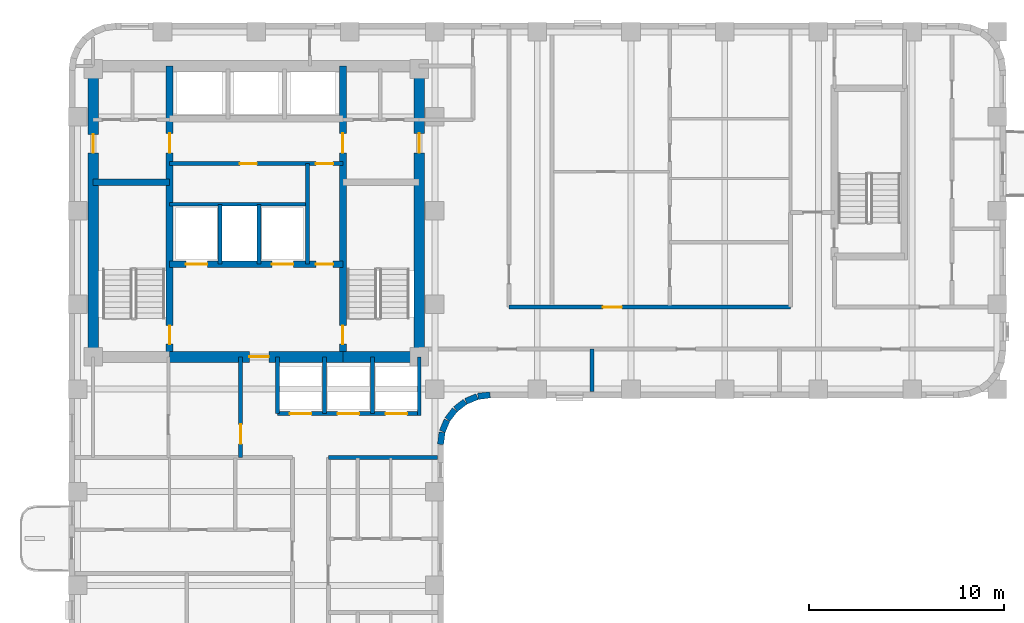
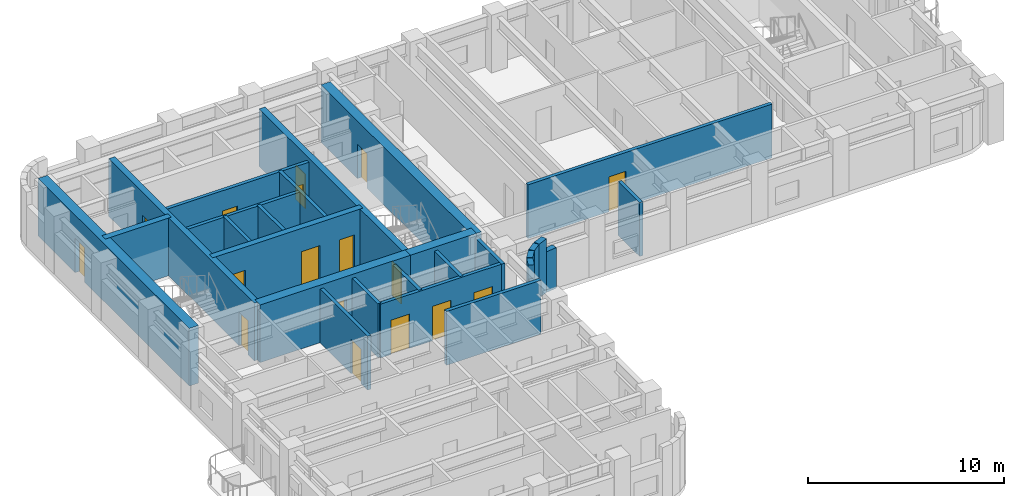
# One storey, part 4 of 10: 28 walls, 17 doors, 17 openings.
"""IFC4 building model written with IfcOpenShell, lengths in metres."""

from ifc_helpers import new_model, si_unit, direction, frame, frame_2d, origin, place, context, subcontext, project, spatial, rectangle, extrude, material, layer, layer_set, type_object, element, fill, save


model = new_model("IFC4")

# Units and contexts
model_context = context("Model", 3, precision=1e-05, world=origin(), true_north=direction((0.0, 1.0)))
body_context = subcontext(model_context, "Body", "Model", "MODEL_VIEW")
ifc_project = project(units=[si_unit("LENGTHUNIT", "METRE"), si_unit("AREAUNIT", "SQUARE_METRE"), si_unit("VOLUMEUNIT", "CUBIC_METRE"), si_unit("PLANEANGLEUNIT", "RADIAN"), si_unit("MASSUNIT", "GRAM", prefix="KILO")], contexts=[model_context])

# Site, building, storey
site_placement = place(None, origin())
site = spatial("IfcSite", under=ifc_project, at=site_placement, CompositionType="ELEMENT")
building_placement = place(site_placement, origin())
building = spatial("IfcBuilding", under=site, at=building_placement, Name="Orvandelia Arch Residences", CompositionType="ELEMENT")
storey_placement = place(building_placement, frame((0.0, 0.0, 136.0)))
storey = spatial("IfcBuildingStorey", under=building, at=storey_placement, Name="L35", CompositionType="ELEMENT", Elevation=136.0)

# Wall, openings, doors
ifc_material_1 = material(Name="Concrete C50/60", Category="concrete")
ifc_layer_1 = layer(ifc_material_1, 0.35009765625, Name="Concrete C50/60", Category="concrete")
ifc_layer_set_1 = layer_set([ifc_layer_1], Name="Concrete C50/60")
wall_type_1 = type_object("IfcWallType", Name="WL-CORE-350", PredefinedType="SHEAR", material=ifc_layer_set_1)
wall_1_placement = place(storey_placement, frame((9.9599609375, 30.89990234375, 0.0), z_axis=(0.0, 0.0, 1.0), x_axis=(0.0, 1.0, 0.0)))
wall_1 = element("IfcWall", 1, at=wall_1_placement, inside=storey, type_object=wall_type_1, Name="Core Shear Wall L35-WEB1", PredefinedType="SHEAR", context=body_context, shape_type="SweptSolid", body=[
    extrude(rectangle(XDim=14.900146484375, YDim=0.35009765625, at=frame_2d((7.4501953125, 0.0))), origin(), (0.0, 0.0, 1.0), 3.60009765625),
])
opening_1_placement = place(wall_1_placement, frame((0.64990234375, 0.0, 0.0)))
opening_1 = element("IfcOpeningElement", 2, at=opening_1_placement, cuts=wall_1, Name="Opening D7", PredefinedType="OPENING", context=body_context, shape_type="SweptSolid", body=[
    extrude(rectangle(XDim=0.949951171875, YDim=2.10009765625, at=frame_2d((0.47509765625, 1.050048828125))), frame((0.0, 0.18505859375, 0.0), z_axis=(0.0, -1.0, 0.0), x_axis=(1.0, 0.0, 0.0)), (0.0, 0.0, 1.0), 0.3701171875),
])
opening_2_placement = place(wall_1_placement, frame((10.449951171875, 0.0, 0.0)))
opening_2 = element("IfcOpeningElement", 3, at=opening_2_placement, cuts=wall_1, Name="Opening D6", PredefinedType="OPENING", context=body_context, shape_type="SweptSolid", body=[
    extrude(rectangle(XDim=1.0, YDim=2.14990234375, at=frame_2d((0.5, 1.074951171875))), frame((0.0, 0.18505859375, 0.0), z_axis=(0.0, -1.0, 0.0), x_axis=(1.0, 0.0, 0.0)), (0.0, 0.0, 1.0), 0.3701171875),
])
ifc_material_2 = material(Name="Smokeproof Painted Steel Fire Door", Category="steel")
door_type_1 = type_object("IfcDoorType", Name="DR-FD60-1000", OperationType="NOTDEFINED", PredefinedType="DOOR", material=ifc_material_2)
door_1_placement = place(opening_2_placement, origin())
door_1 = element("IfcDoor", 4, at=door_1_placement, inside=storey, type_object=door_type_1, Name="High-Rise Lift Hall West Vestibule Door L35", OperationType="SINGLE_SWING_LEFT", OverallHeight=2.14990234375, OverallWidth=1.0, PredefinedType="DOOR", context=body_context, shape_type="SweptSolid", body=[
    extrude(rectangle(XDim=1.0, YDim=2.14990234375, at=frame_2d((0.5, 1.074951171875))), frame((0.0, 0.02490234375, 0.0), z_axis=(0.0, -1.0, 0.0), x_axis=(1.0, 0.0, 0.0)), (0.0, 0.0, 1.0), 0.050048828125),
])
fill(opening_2, door_1)
ifc_material_3 = material(Name="Pressurised Stairwell Fire Door")
door_type_2 = type_object("IfcDoorType", Name="DR-STAIR-950", OperationType="NOTDEFINED", PredefinedType="DOOR", material=ifc_material_3)
door_2_placement = place(opening_1_placement, origin())
door_2 = element("IfcDoor", 5, at=door_2_placement, inside=storey, type_object=door_type_2, Name="Stairwell ST-1 Fire Door L35", OperationType="SINGLE_SWING_LEFT", OverallHeight=2.10009765625, OverallWidth=0.949951171875, PredefinedType="DOOR", context=body_context, shape_type="SweptSolid", body=[
    extrude(rectangle(XDim=0.949951171875, YDim=2.10009765625, at=frame_2d((0.47509765625, 1.050048828125))), frame((0.0, 0.02490234375, 0.0), z_axis=(0.0, -1.0, 0.0), x_axis=(1.0, 0.0, 0.0)), (0.0, 0.0, 1.0), 0.050048828125),
])
fill(opening_1, door_2)

wall_2_placement = place(storey_placement, frame((18.840087890625, 30.89990234375, 0.0), z_axis=(0.0, 0.0, 1.0), x_axis=(0.0, 1.0, 0.0)))
wall_2 = element("IfcWall", 6, at=wall_2_placement, inside=storey, type_object=wall_type_1, Name="Core Shear Wall L35-WEB2", PredefinedType="SHEAR", context=body_context, shape_type="SweptSolid", body=[
    extrude(rectangle(XDim=14.900146484375, YDim=0.35009765625, at=frame_2d((7.4501953125, 0.0))), origin(), (0.0, 0.0, 1.0), 3.60009765625),
])
opening_3_placement = place(wall_2_placement, frame((0.64990234375, 0.0, 0.0)))
opening_3 = element("IfcOpeningElement", 7, at=opening_3_placement, cuts=wall_2, Name="Opening D7", PredefinedType="OPENING", context=body_context, shape_type="SweptSolid", body=[
    extrude(rectangle(XDim=0.949951171875, YDim=2.10009765625, at=frame_2d((0.47509765625, 1.050048828125))), frame((0.0, 0.18505859375, 0.0), z_axis=(0.0, -1.0, 0.0), x_axis=(1.0, 0.0, 0.0)), (0.0, 0.0, 1.0), 0.3701171875),
])
opening_4_placement = place(wall_2_placement, frame((10.449951171875, 0.0, 0.0)))
opening_4 = element("IfcOpeningElement", 8, at=opening_4_placement, cuts=wall_2, Name="Opening D6", PredefinedType="OPENING", context=body_context, shape_type="SweptSolid", body=[
    extrude(rectangle(XDim=1.0, YDim=2.14990234375, at=frame_2d((0.5, 1.074951171875))), frame((0.0, 0.18505859375, 0.0), z_axis=(0.0, -1.0, 0.0), x_axis=(1.0, 0.0, 0.0)), (0.0, 0.0, 1.0), 0.3701171875),
])
door_3_placement = place(opening_4_placement, origin())
door_3 = element("IfcDoor", 9, at=door_3_placement, inside=storey, type_object=door_type_1, Name="High-Rise Lift Hall East Vestibule Door L35", OperationType="SINGLE_SWING_RIGHT", OverallHeight=2.14990234375, OverallWidth=1.0, PredefinedType="DOOR", context=body_context, shape_type="SweptSolid", body=[
    extrude(rectangle(XDim=1.0, YDim=2.14990234375, at=frame_2d((0.5, 1.074951171875))), frame((0.0, 0.02490234375, 0.0), z_axis=(0.0, -1.0, 0.0), x_axis=(1.0, 0.0, 0.0)), (0.0, 0.0, 1.0), 0.050048828125),
])
fill(opening_4, door_3)
door_4_placement = place(opening_3_placement, origin())
door_4 = element("IfcDoor", 10, at=door_4_placement, inside=storey, type_object=door_type_2, Name="Stairwell ST-2 Fire Door L35", OperationType="SINGLE_SWING_RIGHT", OverallHeight=2.10009765625, OverallWidth=0.949951171875, PredefinedType="DOOR", context=body_context, shape_type="SweptSolid", body=[
    extrude(rectangle(XDim=0.949951171875, YDim=2.10009765625, at=frame_2d((0.47509765625, 1.050048828125))), frame((0.0, 0.02490234375, 0.0), z_axis=(0.0, -1.0, 0.0), x_axis=(1.0, 0.0, 0.0)), (0.0, 0.0, 1.0), 0.050048828125),
])
fill(opening_3, door_4)

# Wall
wall_3_placement = place(storey_placement, frame((6.050048828125, 39.85009765625, 0.0), z_axis=(0.0, 0.0, 1.0), x_axis=(1.0, 0.0, 0.0)))
element("IfcWall", 11, at=wall_3_placement, inside=storey, type_object=wall_type_1, Name="Core Shear Wall L35-HZ1", PredefinedType="SHEAR", context=body_context, shape_type="SweptSolid", body=[
    extrude(rectangle(XDim=3.909912109375, YDim=0.35009765625, at=frame_2d((1.955078125, 0.0))), origin(), (0.0, 0.0, 1.0), 3.60009765625),
])

# Wall, openings, doors
wall_4_placement = place(storey_placement, frame((9.9599609375, 35.64990234375, 0.0), z_axis=(0.0, 0.0, 1.0), x_axis=(1.0, 0.0, 0.0)))
wall_4 = element("IfcWall", 12, at=wall_4_placement, inside=storey, type_object=wall_type_1, Name="Core Shear Wall L35-HZ3", PredefinedType="SHEAR", context=body_context, shape_type="SweptSolid", body=[
    extrude(rectangle(XDim=8.880126953125, YDim=0.35009765625, at=frame_2d((4.43994140625, 0.0))), origin(), (0.0, 0.0, 1.0), 3.60009765625),
])
opening_5_placement = place(wall_4_placement, frame((0.840087890625, 0.0, 0.0)))
opening_5 = element("IfcOpeningElement", 13, at=opening_5_placement, cuts=wall_4, Name="Opening FLD", PredefinedType="OPENING", context=body_context, shape_type="SweptSolid", body=[
    extrude(rectangle(XDim=1.10009765625, YDim=2.14990234375, at=frame_2d((0.550048828125, 1.074951171875))), frame((0.0, 0.18505859375, 0.0), z_axis=(0.0, -1.0, 0.0), x_axis=(1.0, 0.0, 0.0)), (0.0, 0.0, 1.0), 0.3701171875),
])
opening_6_placement = place(wall_4_placement, frame((5.239990234375, 0.0, 0.0)))
opening_6 = element("IfcOpeningElement", 14, at=opening_6_placement, cuts=wall_4, Name="Opening FLD", PredefinedType="OPENING", context=body_context, shape_type="SweptSolid", body=[
    extrude(rectangle(XDim=1.10009765625, YDim=2.14990234375, at=frame_2d((0.550048828125, 1.074951171875))), frame((0.0, 0.18505859375, 0.0), z_axis=(0.0, -1.0, 0.0), x_axis=(1.0, 0.0, 0.0)), (0.0, 0.0, 1.0), 0.3701171875),
])
opening_7_placement = place(wall_4_placement, frame((7.5, 0.0, 0.0)))
opening_7 = element("IfcOpeningElement", 15, at=opening_7_placement, cuts=wall_4, Name="Opening D5", PredefinedType="OPENING", context=body_context, shape_type="SweptSolid", body=[
    extrude(rectangle(XDim=0.8798828125, YDim=2.10009765625, at=frame_2d((0.43994140625, 1.050048828125))), frame((0.0, 0.18505859375, 0.0), z_axis=(0.0, -1.0, 0.0), x_axis=(1.0, 0.0, 0.0)), (0.0, 0.0, 1.0), 0.3701171875),
])
ifc_material_4 = material(Name="Firefighting Lift Stainless Sliding Door")
door_type_3 = type_object("IfcDoorType", Name="DR-FLFT-1100", OperationType="NOTDEFINED", PredefinedType="DOOR", material=ifc_material_4)
door_5_placement = place(opening_5_placement, origin())
door_5 = element("IfcDoor", 16, at=door_5_placement, inside=storey, type_object=door_type_3, Name="Firefighting Lift Landing Door FLD-FL1-L35", OperationType="SLIDING_TO_LEFT", OverallHeight=2.14990234375, OverallWidth=1.10009765625, PredefinedType="DOOR", context=body_context, shape_type="SweptSolid", body=[
    extrude(rectangle(XDim=1.10009765625, YDim=2.14990234375, at=frame_2d((0.550048828125, 1.074951171875))), frame((0.0, 0.02490234375, 0.0), z_axis=(0.0, -1.0, 0.0), x_axis=(1.0, 0.0, 0.0)), (0.0, 0.0, 1.0), 0.050048828125),
])
fill(opening_5, door_5)
door_6_placement = place(opening_6_placement, origin())
door_6 = element("IfcDoor", 17, at=door_6_placement, inside=storey, type_object=door_type_3, Name="Firefighting Lift Landing Door FLD-FL2-L35", OperationType="SLIDING_TO_RIGHT", OverallHeight=2.14990234375, OverallWidth=1.10009765625, PredefinedType="DOOR", context=body_context, shape_type="SweptSolid", body=[
    extrude(rectangle(XDim=1.10009765625, YDim=2.14990234375, at=frame_2d((0.550048828125, 1.074951171875))), frame((0.0, 0.02490234375, 0.0), z_axis=(0.0, -1.0, 0.0), x_axis=(1.0, 0.0, 0.0)), (0.0, 0.0, 1.0), 0.050048828125),
])
fill(opening_6, door_6)
ifc_material_5 = material(Name="Painted Galvanised Steel Service Door", Category="steel")
door_type_4 = type_object("IfcDoorType", Name="DR-SRV-880", OperationType="NOTDEFINED", PredefinedType="DOOR", material=ifc_material_5)
door_7_placement = place(opening_7_placement, origin())
door_7 = element("IfcDoor", 18, at=door_7_placement, inside=storey, type_object=door_type_4, Name="Core Stairway Passage South Fire Door L35", OperationType="SINGLE_SWING_LEFT", OverallHeight=2.10009765625, OverallWidth=0.8798828125, PredefinedType="DOOR", context=body_context, shape_type="SweptSolid", body=[
    extrude(rectangle(XDim=0.8798828125, YDim=2.10009765625, at=frame_2d((0.43994140625, 1.050048828125))), frame((0.0, 0.02490234375, 0.0), z_axis=(0.0, -1.0, 0.0), x_axis=(1.0, 0.0, 0.0)), (0.0, 0.0, 1.0), 0.050048828125),
])
fill(opening_7, door_7)

# Wall, opening, door
ifc_material_6 = material(Name="Concrete C60/75", Category="concrete")
ifc_layer_2 = layer(ifc_material_6, 0.550048828125, Name="Concrete C60/75", Category="concrete")
ifc_layer_set_2 = layer_set([ifc_layer_2], Name="Concrete C60/75")
wall_type_2 = type_object("IfcWallType", Name="WL-CORE-550", PredefinedType="SHEAR", material=ifc_layer_set_2)
wall_5_placement = place(storey_placement, frame((6.050048828125, 30.625, 0.0), z_axis=(0.0, 0.0, 1.0), x_axis=(0.0, 1.0, 0.0)))
wall_5 = element("IfcWall", 19, at=wall_5_placement, inside=storey, type_object=wall_type_2, Name="Core Shear Wall L35-W", PredefinedType="SHEAR", context=body_context, shape_type="SweptSolid", body=[
    extrude(rectangle(XDim=15.449951171875, YDim=0.550048828125, at=frame_2d((7.72509765625, 0.0))), origin(), (0.0, 0.0, 1.0), 3.60009765625),
])
opening_8_placement = place(wall_5_placement, frame((10.72509765625, 0.0, 0.0)))
opening_8 = element("IfcOpeningElement", 20, at=opening_8_placement, cuts=wall_5, Name="Opening D2", PredefinedType="OPENING", context=body_context, shape_type="SweptSolid", body=[
    extrude(rectangle(XDim=0.949951171875, YDim=2.14990234375, at=frame_2d((0.47509765625, 1.074951171875))), frame((0.0, 0.28515625, 0.0), z_axis=(0.0, -1.0, 0.0), x_axis=(1.0, 0.0, 0.0)), (0.0, 0.0, 1.0), 0.570068359375),
])
ifc_material_7 = material(Name="Solid-Core Timber Interior Fire Door", Category="wood")
door_type_5 = type_object("IfcDoorType", Name="DR-APT-950", OperationType="NOTDEFINED", PredefinedType="DOOR", material=ifc_material_7)
door_8_placement = place(opening_8_placement, origin())
door_8 = element("IfcDoor", 21, at=door_8_placement, inside=storey, type_object=door_type_5, Name="West Viewing Study Door L35", OperationType="SINGLE_SWING_RIGHT", OverallHeight=2.14990234375, OverallWidth=0.949951171875, PredefinedType="DOOR", context=body_context, shape_type="SweptSolid", body=[
    extrude(rectangle(XDim=0.949951171875, YDim=2.14990234375, at=frame_2d((0.47509765625, 1.074951171875))), frame((0.0, 0.02490234375, 0.0), z_axis=(0.0, -1.0, 0.0), x_axis=(1.0, 0.0, 0.0)), (0.0, 0.0, 1.0), 0.050048828125),
])
fill(opening_8, door_8)

wall_6_placement = place(storey_placement, frame((22.75, 30.625, 0.0), z_axis=(0.0, 0.0, 1.0), x_axis=(0.0, 1.0, 0.0)))
wall_6 = element("IfcWall", 22, at=wall_6_placement, inside=storey, type_object=wall_type_2, Name="Core Shear Wall L35-E", PredefinedType="SHEAR", context=body_context, shape_type="SweptSolid", body=[
    extrude(rectangle(XDim=15.449951171875, YDim=0.550048828125, at=frame_2d((7.72509765625, 0.0))), origin(), (0.0, 0.0, 1.0), 3.60009765625),
])
opening_9_placement = place(wall_6_placement, frame((10.72509765625, 0.0, 0.0)))
opening_9 = element("IfcOpeningElement", 23, at=opening_9_placement, cuts=wall_6, Name="Opening D6", PredefinedType="OPENING", context=body_context, shape_type="SweptSolid", body=[
    extrude(rectangle(XDim=1.0, YDim=2.14990234375, at=frame_2d((0.5, 1.074951171875))), frame((0.0, 0.28515625, 0.0), z_axis=(0.0, -1.0, 0.0), x_axis=(1.0, 0.0, 0.0)), (0.0, 0.0, 1.0), 0.570068359375),
])
door_9_placement = place(opening_9_placement, origin())
door_9 = element("IfcDoor", 24, at=door_9_placement, inside=storey, type_object=door_type_1, Name="Core East Corridor Link Door L35", OperationType="SINGLE_SWING_LEFT", OverallHeight=2.14990234375, OverallWidth=1.0, PredefinedType="DOOR", context=body_context, shape_type="SweptSolid", body=[
    extrude(rectangle(XDim=1.0, YDim=2.14990234375, at=frame_2d((0.5, 1.074951171875))), frame((0.0, 0.02490234375, 0.0), z_axis=(0.0, -1.0, 0.0), x_axis=(1.0, 0.0, 0.0)), (0.0, 0.0, 1.0), 0.050048828125),
])
fill(opening_9, door_9)

wall_7_placement = place(storey_placement, frame((9.9599609375, 30.89990234375, 0.0), z_axis=(0.0, 0.0, 1.0), x_axis=(1.0, 0.0, 0.0)))
wall_7 = element("IfcWall", 25, at=wall_7_placement, inside=storey, type_object=wall_type_2, Name="Core Shear Wall L35-SM", PredefinedType="SHEAR", context=body_context, shape_type="SweptSolid", body=[
    extrude(rectangle(XDim=8.880126953125, YDim=0.550048828125, at=frame_2d((4.43994140625, 0.0))), origin(), (0.0, 0.0, 1.0), 3.60009765625),
])
opening_10_placement = place(wall_7_placement, frame((4.090087890625, 0.0, 0.0)))
opening_10 = element("IfcOpeningElement", 26, at=opening_10_placement, cuts=wall_7, Name="Opening D6", PredefinedType="OPENING", context=body_context, shape_type="SweptSolid", body=[
    extrude(rectangle(XDim=1.0, YDim=2.14990234375, at=frame_2d((0.5, 1.074951171875))), frame((0.0, 0.28515625, 0.0), z_axis=(0.0, -1.0, 0.0), x_axis=(1.0, 0.0, 0.0)), (0.0, 0.0, 1.0), 0.570068359375),
])
door_10_placement = place(opening_10_placement, origin())
door_10 = element("IfcDoor", 27, at=door_10_placement, inside=storey, type_object=door_type_1, Name="Firefighting Lobby Smokeproof Door L35", OperationType="SINGLE_SWING_LEFT", OverallHeight=2.14990234375, OverallWidth=1.0, PredefinedType="DOOR", context=body_context, shape_type="SweptSolid", body=[
    extrude(rectangle(XDim=1.0, YDim=2.14990234375, at=frame_2d((0.5, 1.074951171875))), frame((0.0, 0.02490234375, 0.0), z_axis=(0.0, -1.0, 0.0), x_axis=(1.0, 0.0, 0.0)), (0.0, 0.0, 1.0), 0.050048828125),
])
fill(opening_10, door_10)

# Walls
wall_8_placement = place(storey_placement, frame((18.840087890625, 30.89990234375, 0.0), z_axis=(0.0, 0.0, 1.0), x_axis=(1.0, 0.0, 0.0)))
element("IfcWall", 28, at=wall_8_placement, inside=storey, type_object=wall_type_2, Name="Core Shear Wall L35-SE", PredefinedType="SHEAR", context=body_context, shape_type="SweptSolid", body=[
    extrude(rectangle(XDim=3.909912109375, YDim=0.550048828125, at=frame_2d((1.955078125, 0.0))), origin(), (0.0, 0.0, 1.0), 3.60009765625),
])
ifc_material_8 = material(Name="Fire-Rated Corridor Partition")
ifc_layer_3 = layer(ifc_material_8, 0.199951171875, Name="Fire-Rated Corridor Partition")
ifc_layer_set_3 = layer_set([ifc_layer_3], Name="Fire-Rated Corridor Partition")
wall_type_3 = type_object("IfcWallType", Name="WL-CORR-200", PredefinedType="PARTITIONING", material=ifc_layer_set_3)
wall_9_placement = place(storey_placement, frame((18.10009765625, 25.75, 0.0), z_axis=(0.0, 0.0, 1.0), x_axis=(1.0, 0.0, 0.0)))
element("IfcWall", 29, at=wall_9_placement, inside=storey, type_object=wall_type_3, Name="Interior Partition Wall WL-L35-WCLS-E", PredefinedType="PARTITIONING", context=body_context, shape_type="SweptSolid", body=[
    extrude(rectangle(XDim=5.579833984375, YDim=0.199951171875, at=frame_2d((2.7900390625, 0.0))), origin(), (0.0, 0.0, 1.0), 3.360107421875),
])

# Wall, opening, door
wall_10_placement = place(storey_placement, frame((27.35009765625, 33.449951171875, 0.0), z_axis=(0.0, 0.0, 1.0), x_axis=(1.0, 0.0, 0.0)))
wall_10 = element("IfcWall", 30, at=wall_10_placement, inside=storey, type_object=wall_type_3, Name="Interior Partition Wall WL-L35-ES-N1", PredefinedType="PARTITIONING", context=body_context, shape_type="SweptSolid", body=[
    extrude(rectangle(XDim=14.429931640625, YDim=0.199951171875, at=frame_2d((7.21484375, 0.0))), origin(), (0.0, 0.0, 1.0), 3.360107421875),
])
opening_11_placement = place(wall_10_placement, frame((4.803466796875, 0.0, 0.0)))
opening_11 = element("IfcOpeningElement", 31, at=opening_11_placement, cuts=wall_10, Name="Opening D1", PredefinedType="OPENING", context=body_context, shape_type="SweptSolid", body=[
    extrude(rectangle(XDim=0.97998046875, YDim=2.179931640625, at=frame_2d((0.489990234375, 1.08984375))), frame((0.0, 0.10986328125, 0.0), z_axis=(0.0, -1.0, 0.0), x_axis=(1.0, 0.0, 0.0)), (0.0, 0.0, 1.0), 0.219970703125),
])
ifc_material_9 = material(Name="Solid-Core Timber Acoustic Fire Door", Category="wood")
door_type_6 = type_object("IfcDoorType", Name="DR-ENT-980", OperationType="NOTDEFINED", PredefinedType="DOOR", material=ifc_material_9)
door_11_placement = place(opening_11_placement, origin())
door_11 = element("IfcDoor", 32, at=door_11_placement, inside=storey, type_object=door_type_6, Name="Unit L35-06 Entrance Door", OperationType="SINGLE_SWING_RIGHT", OverallHeight=2.179931640625, OverallWidth=0.97998046875, PredefinedType="DOOR", context=body_context, shape_type="SweptSolid", body=[
    extrude(rectangle(XDim=0.97998046875, YDim=2.179931640625, at=frame_2d((0.489990234375, 1.08984375))), frame((0.0, 0.02490234375, 0.0), z_axis=(0.0, -1.0, 0.0), x_axis=(1.0, 0.0, 0.0)), (0.0, 0.0, 1.0), 0.050048828125),
])
fill(opening_11, door_11)

# Walls
ifc_material_10 = material(Name="Concrete C40/50", Category="concrete")
ifc_layer_4 = layer(ifc_material_10, 0.199951171875, Name="Concrete C40/50", Category="concrete")
ifc_layer_set_4 = layer_set([ifc_layer_4], Name="Concrete C40/50")
wall_type_4 = type_object("IfcWallType", Name="WL-DEM-200", PredefinedType="SOLIDWALL", material=ifc_layer_set_4)
wall_11_placement = place(storey_placement, frame((31.60009765625, 29.1201171875, 0.0), z_axis=(0.0, 0.0, 1.0), x_axis=(0.0, 1.0, 0.0)))
element("IfcWall", 33, at=wall_11_placement, inside=storey, type_object=wall_type_4, Name="Interior Partition Wall WL-L35-ESSD-1", PredefinedType="SOLIDWALL", context=body_context, shape_type="SweptSolid", body=[
    extrude(rectangle(XDim=2.179931640625, YDim=0.199951171875, at=frame_2d((1.08984375, 0.0))), origin(), (0.0, 0.0, 1.0), 3.360107421875),
])
ifc_material_11 = material(Name="Precast concrete C40/50", Category="concrete")
ifc_layer_5 = layer(ifc_material_11, 0.320068359375, Name="Precast concrete C40/50", Category="concrete")
ifc_layer_set_5 = layer_set([ifc_layer_5], Name="Precast concrete C40/50")
wall_type_5 = type_object("IfcWallType", Name="WL-EXT-STONE-320", PredefinedType="STANDARD", material=ifc_layer_set_5)
wall_12_placement = place(storey_placement, frame((26.379150390625, 28.95849609375, 0.0), z_axis=(0.0, 0.0, 1.0), x_axis=(-0.991447664465, -0.130504898859, 0.0)))
element("IfcWall", 34, at=wall_12_placement, inside=storey, type_object=wall_type_5, Name="Coral-Limestone Precast Facade Wall L35-022", PredefinedType="STANDARD", context=body_context, shape_type="SweptSolid", body=[
    extrude(rectangle(XDim=0.626708984375, YDim=0.320068359375, at=frame_2d((0.3134765625, 0.0))), origin(), (0.0, 0.0, 1.0), 2.5400390625),
])
wall_13_placement = place(storey_placement, frame((25.717529296875, 28.865966796875, 0.0), z_axis=(0.0, 0.0, 1.0), x_axis=(-0.923836271867, -0.382787856107, 0.0)))
element("IfcWall", 35, at=wall_13_placement, inside=storey, type_object=wall_type_5, Name="Coral-Limestone Precast Facade Wall L35-023", PredefinedType="STANDARD", context=body_context, shape_type="SweptSolid", body=[
    extrude(rectangle(XDim=0.626220703125, YDim=0.320068359375, at=frame_2d((0.31298828125, 0.0))), origin(), (0.0, 0.0, 1.0), 3.360107421875),
])
for number, where, z_axis, x_axis, name in (
    (36, (25.1025390625, 28.60546875, 0.0), (0.0, 0.0, 1.0), (-0.793405610854, -0.608693302629, 0.0), "Coral-Limestone Precast Facade Wall L35-024"),
    (37, (24.575927734375, 28.194580078125, 0.0), (0.0, 0.0, 1.0), (-0.608693302629, -0.793405610854, 0.0), "Coral-Limestone Precast Facade Wall L35-025"),
):
    element("IfcWall", number, at=place(storey_placement, frame(where, z_axis=z_axis, x_axis=x_axis)), inside=storey, type_object=wall_type_5, Name=name, PredefinedType="STANDARD", context=body_context, shape_type="SweptSolid", body=[
        extrude(rectangle(XDim=0.62646484375, YDim=0.320068359375, at=frame_2d((0.313232421875, 0.0))), origin(), (0.0, 0.0, 1.0), 3.360107421875),
    ])
wall_14_placement = place(storey_placement, frame((24.173583984375, 27.6611328125, 0.0), z_axis=(0.0, 0.0, 1.0), x_axis=(-0.382455093999, -0.923974080304, 0.0)))
element("IfcWall", 38, at=wall_14_placement, inside=storey, type_object=wall_type_5, Name="Coral-Limestone Precast Facade Wall L35-026", PredefinedType="STANDARD", context=body_context, shape_type="SweptSolid", body=[
    extrude(rectangle(XDim=0.626220703125, YDim=0.320068359375, at=frame_2d((0.31298828125, 0.0))), origin(), (0.0, 0.0, 1.0), 3.360107421875),
])
wall_15_placement = place(storey_placement, frame((23.923095703125, 27.0419921875, 0.0), z_axis=(0.0, 0.0, 1.0), x_axis=(-0.130555323746, -0.9914410257, 0.0)))
element("IfcWall", 39, at=wall_15_placement, inside=storey, type_object=wall_type_5, Name="Coral-Limestone Precast Facade Wall L35-027", PredefinedType="STANDARD", context=body_context, shape_type="SweptSolid", body=[
    extrude(rectangle(XDim=0.62646484375, YDim=0.320068359375, at=frame_2d((0.313232421875, 0.0))), origin(), (0.0, 0.0, 1.0), 2.5400390625),
])
ifc_material_12 = material(Name="Fire-Rated Shaft Enclosure Wall")
ifc_layer_6 = layer(ifc_material_12, 0.199951171875, Name="Fire-Rated Shaft Enclosure Wall")
ifc_layer_set_6 = layer_set([ifc_layer_6], Name="Fire-Rated Shaft Enclosure Wall")
wall_type_6 = type_object("IfcWallType", Name="WL-SHAFT-200", PredefinedType="POLYGONAL", material=ifc_layer_set_6)
wall_16_placement = place(storey_placement, frame((9.9599609375, 38.719970703125, 0.0), z_axis=(0.0, 0.0, 1.0), x_axis=(1.0, 0.0, 0.0)))
element("IfcWall", 40, at=wall_16_placement, inside=storey, type_object=wall_type_6, Name="Interior Partition Wall WL-L35-FLN", PredefinedType="POLYGONAL", context=body_context, shape_type="SweptSolid", body=[
    extrude(rectangle(XDim=7.06005859375, YDim=0.199951171875, at=frame_2d((3.530029296875, 0.0))), origin(), (0.0, 0.0, 1.0), 3.360107421875),
])
for number, where, z_axis, x_axis, name in (
    (41, (12.550048828125, 35.64990234375, 0.0), (0.0, 0.0, 1.0), (0.0, 1.0, 0.0), "Interior Partition Wall WL-L35-FLM1"),
    (42, (14.550048828125, 35.64990234375, 0.0), (0.0, 0.0, 1.0), (0.0, 1.0, 0.0), "Interior Partition Wall WL-L35-FLM2"),
):
    element("IfcWall", number, at=place(storey_placement, frame(where, z_axis=z_axis, x_axis=x_axis)), inside=storey, type_object=wall_type_6, Name=name, PredefinedType="POLYGONAL", context=body_context, shape_type="SweptSolid", body=[
        extrude(rectangle(XDim=3.070068359375, YDim=0.199951171875, at=frame_2d((1.53515625, 0.0))), origin(), (0.0, 0.0, 1.0), 3.360107421875),
    ])
wall_17_placement = place(storey_placement, frame((17.02001953125, 35.64990234375, 0.0), z_axis=(0.0, 0.0, 1.0), x_axis=(0.0, 1.0, 0.0)))
element("IfcWall", 43, at=wall_17_placement, inside=storey, type_object=wall_type_6, Name="Interior Partition Wall WL-L35-FLM3", PredefinedType="POLYGONAL", context=body_context, shape_type="SweptSolid", body=[
    extrude(rectangle(XDim=5.150146484375, YDim=0.199951171875, at=frame_2d((2.5751953125, 0.0))), origin(), (0.0, 0.0, 1.0), 3.360107421875),
])

# Wall, openings, doors
wall_18_placement = place(storey_placement, frame((9.9599609375, 40.800048828125, 0.0), z_axis=(0.0, 0.0, 1.0), x_axis=(1.0, 0.0, 0.0)))
wall_18 = element("IfcWall", 44, at=wall_18_placement, inside=storey, type_object=wall_type_6, Name="Interior Partition Wall WL-L35-HLH-S", PredefinedType="POLYGONAL", context=body_context, shape_type="SweptSolid", body=[
    extrude(rectangle(XDim=8.880126953125, YDim=0.199951171875, at=frame_2d((4.43994140625, 0.0))), origin(), (0.0, 0.0, 1.0), 3.360107421875),
])
opening_12_placement = place(wall_18_placement, frame((7.5, 0.0, 0.0)))
opening_12 = element("IfcOpeningElement", 45, at=opening_12_placement, cuts=wall_18, Name="Opening D5", PredefinedType="OPENING", context=body_context, shape_type="SweptSolid", body=[
    extrude(rectangle(XDim=0.8798828125, YDim=2.10009765625, at=frame_2d((0.43994140625, 1.050048828125))), frame((0.0, 0.10986328125, 0.0), z_axis=(0.0, -1.0, 0.0), x_axis=(1.0, 0.0, 0.0)), (0.0, 0.0, 1.0), 0.219970703125),
])
opening_13_placement = place(wall_18_placement, frame((3.60009765625, 0.0, 0.0)))
opening_13 = element("IfcOpeningElement", 46, at=opening_13_placement, cuts=wall_18, Name="Opening D5", PredefinedType="OPENING", context=body_context, shape_type="SweptSolid", body=[
    extrude(rectangle(XDim=0.8798828125, YDim=2.10009765625, at=frame_2d((0.43994140625, 1.050048828125))), frame((0.0, 0.10986328125, 0.0), z_axis=(0.0, -1.0, 0.0), x_axis=(1.0, 0.0, 0.0)), (0.0, 0.0, 1.0), 0.219970703125),
])
door_12_placement = place(opening_12_placement, origin())
door_12 = element("IfcDoor", 47, at=door_12_placement, inside=storey, type_object=door_type_4, Name="Core Stairway Passage North Fire Door L35", OperationType="SINGLE_SWING_RIGHT", OverallHeight=2.10009765625, OverallWidth=0.8798828125, PredefinedType="DOOR", context=body_context, shape_type="SweptSolid", body=[
    extrude(rectangle(XDim=0.8798828125, YDim=2.10009765625, at=frame_2d((0.43994140625, 1.050048828125))), frame((0.0, 0.02490234375, 0.0), z_axis=(0.0, -1.0, 0.0), x_axis=(1.0, 0.0, 0.0)), (0.0, 0.0, 1.0), 0.050048828125),
])
fill(opening_12, door_12)
door_13_placement = place(opening_13_placement, origin())
door_13 = element("IfcDoor", 48, at=door_13_placement, inside=storey, type_object=door_type_4, Name="DR-L35-CSA1", OperationType="SINGLE_SWING_LEFT", OverallHeight=2.10009765625, OverallWidth=0.8798828125, PredefinedType="DOOR", context=body_context, shape_type="SweptSolid", body=[
    extrude(rectangle(XDim=0.8798828125, YDim=2.10009765625, at=frame_2d((0.43994140625, 1.050048828125))), frame((0.0, 0.02490234375, 0.0), z_axis=(0.0, -1.0, 0.0), x_axis=(1.0, 0.0, 0.0)), (0.0, 0.0, 1.0), 0.050048828125),
])
fill(opening_13, door_13)

# Wall, opening, door
wall_19_placement = place(storey_placement, frame((13.60009765625, 25.75, 0.0), z_axis=(0.0, 0.0, 1.0), x_axis=(0.0, 1.0, 0.0)))
wall_19 = element("IfcWall", 49, at=wall_19_placement, inside=storey, type_object=wall_type_6, Name="Interior Partition Wall WL-L35-B1REUSE-E", PredefinedType="POLYGONAL", context=body_context, shape_type="SweptSolid", body=[
    extrude(rectangle(XDim=5.14990234375, YDim=0.199951171875, at=frame_2d((2.574951171875, 0.0))), origin(), (0.0, 0.0, 1.0), 3.360107421875),
])
opening_14_placement = place(wall_19_placement, frame((0.699951171875, 0.0, 0.0)))
opening_14 = element("IfcOpeningElement", 50, at=opening_14_placement, cuts=wall_19, Name="Opening D6", PredefinedType="OPENING", context=body_context, shape_type="SweptSolid", body=[
    extrude(rectangle(XDim=1.0, YDim=2.14990234375, at=frame_2d((0.5, 1.074951171875))), frame((0.0, 0.10986328125, 0.0), z_axis=(0.0, -1.0, 0.0), x_axis=(1.0, 0.0, 0.0)), (0.0, 0.0, 1.0), 0.219970703125),
])
door_14_placement = place(opening_14_placement, origin())
door_14 = element("IfcDoor", 51, at=door_14_placement, inside=storey, type_object=door_type_1, Name="DR-L35-B1RB", OperationType="SINGLE_SWING_LEFT", OverallHeight=2.14990234375, OverallWidth=1.0, PredefinedType="DOOR", context=body_context, shape_type="SweptSolid", body=[
    extrude(rectangle(XDim=1.0, YDim=2.14990234375, at=frame_2d((0.5, 1.074951171875))), frame((0.0, 0.02490234375, 0.0), z_axis=(0.0, -1.0, 0.0), x_axis=(1.0, 0.0, 0.0)), (0.0, 0.0, 1.0), 0.050048828125),
])
fill(opening_14, door_14)

# Wall, openings, doors
wall_20_placement = place(storey_placement, frame((15.5, 28.0, 0.0), z_axis=(0.0, 0.0, 1.0), x_axis=(1.0, 0.0, 0.0)))
wall_20 = element("IfcWall", 52, at=wall_20_placement, inside=storey, type_object=wall_type_6, Name="Interior Partition Wall WL-L35-BNKM-S", PredefinedType="POLYGONAL", context=body_context, shape_type="SweptSolid", body=[
    extrude(rectangle(XDim=7.25, YDim=0.199951171875, at=frame_2d((3.625, 0.0))), origin(), (0.0, 0.0, 1.0), 3.360107421875),
])
opening_15_placement = place(wall_20_placement, frame((0.625, 0.0, 0.0)))
opening_15 = element("IfcOpeningElement", 53, at=opening_15_placement, cuts=wall_20, Name="Opening LD", PredefinedType="OPENING", context=body_context, shape_type="SweptSolid", body=[
    extrude(rectangle(XDim=1.10009765625, YDim=2.14990234375, at=frame_2d((0.550048828125, 1.074951171875))), frame((0.0, 0.10986328125, 0.0), z_axis=(0.0, -1.0, 0.0), x_axis=(1.0, 0.0, 0.0)), (0.0, 0.0, 1.0), 0.219970703125),
])
opening_16_placement = place(wall_20_placement, frame((3.074951171875, 0.0, 0.0)))
opening_16 = element("IfcOpeningElement", 54, at=opening_16_placement, cuts=wall_20, Name="Opening LD", PredefinedType="OPENING", context=body_context, shape_type="SweptSolid", body=[
    extrude(rectangle(XDim=1.10009765625, YDim=2.14990234375, at=frame_2d((0.550048828125, 1.074951171875))), frame((0.0, 0.10986328125, 0.0), z_axis=(0.0, -1.0, 0.0), x_axis=(1.0, 0.0, 0.0)), (0.0, 0.0, 1.0), 0.219970703125),
])
opening_17_placement = place(wall_20_placement, frame((5.52490234375, 0.0, 0.0)))
opening_17 = element("IfcOpeningElement", 55, at=opening_17_placement, cuts=wall_20, Name="Opening LD", PredefinedType="OPENING", context=body_context, shape_type="SweptSolid", body=[
    extrude(rectangle(XDim=1.10009765625, YDim=2.14990234375, at=frame_2d((0.550048828125, 1.074951171875))), frame((0.0, 0.10986328125, 0.0), z_axis=(0.0, -1.0, 0.0), x_axis=(1.0, 0.0, 0.0)), (0.0, 0.0, 1.0), 0.219970703125),
])
ifc_material_13 = material(Name="Brushed Stainless Steel Sliding Lift Door", Category="steel")
door_type_7 = type_object("IfcDoorType", Name="DR-LIFT-1100", OperationType="NOTDEFINED", PredefinedType="DOOR", material=ifc_material_13)
door_15_placement = place(opening_15_placement, origin())
door_15 = element("IfcDoor", 56, at=door_15_placement, inside=storey, type_object=door_type_7, Name="Lift Landing Door LD-PM1", OperationType="SLIDING_TO_LEFT", OverallHeight=2.14990234375, OverallWidth=1.10009765625, PredefinedType="DOOR", context=body_context, shape_type="SweptSolid", body=[
    extrude(rectangle(XDim=1.10009765625, YDim=2.14990234375, at=frame_2d((0.550048828125, 1.074951171875))), frame((0.0, 0.02490234375, 0.0), z_axis=(0.0, -1.0, 0.0), x_axis=(1.0, 0.0, 0.0)), (0.0, 0.0, 1.0), 0.050048828125),
])
fill(opening_15, door_15)
door_16_placement = place(opening_16_placement, origin())
door_16 = element("IfcDoor", 57, at=door_16_placement, inside=storey, type_object=door_type_7, Name="Lift Landing Door LD-PM2", OperationType="SLIDING_TO_RIGHT", OverallHeight=2.14990234375, OverallWidth=1.10009765625, PredefinedType="DOOR", context=body_context, shape_type="SweptSolid", body=[
    extrude(rectangle(XDim=1.10009765625, YDim=2.14990234375, at=frame_2d((0.550048828125, 1.074951171875))), frame((0.0, 0.02490234375, 0.0), z_axis=(0.0, -1.0, 0.0), x_axis=(1.0, 0.0, 0.0)), (0.0, 0.0, 1.0), 0.050048828125),
])
fill(opening_16, door_16)
door_17_placement = place(opening_17_placement, origin())
door_17 = element("IfcDoor", 58, at=door_17_placement, inside=storey, type_object=door_type_7, Name="Lift Landing Door LD-PM3", OperationType="SLIDING_TO_LEFT", OverallHeight=2.14990234375, OverallWidth=1.10009765625, PredefinedType="DOOR", context=body_context, shape_type="SweptSolid", body=[
    extrude(rectangle(XDim=1.10009765625, YDim=2.14990234375, at=frame_2d((0.550048828125, 1.074951171875))), frame((0.0, 0.02490234375, 0.0), z_axis=(0.0, -1.0, 0.0), x_axis=(1.0, 0.0, 0.0)), (0.0, 0.0, 1.0), 0.050048828125),
])
fill(opening_17, door_17)

# Walls
wall_21_placement = place(storey_placement, frame((15.5, 28.0, 0.0), z_axis=(0.0, 0.0, 1.0), x_axis=(0.0, 1.0, 0.0)))
element("IfcWall", 59, at=wall_21_placement, inside=storey, type_object=wall_type_6, Name="Interior Partition Wall WL-L35-BNKM-W", PredefinedType="POLYGONAL", context=body_context, shape_type="SweptSolid", body=[
    extrude(rectangle(XDim=2.89990234375, YDim=0.199951171875, at=frame_2d((1.449951171875, 0.0))), origin(), (0.0, 0.0, 1.0), 3.360107421875),
])
wall_22_placement = place(storey_placement, frame((22.75, 27.89990234375, 0.0), z_axis=(0.0, 0.0, 1.0), x_axis=(0.0, 1.0, 0.0)))
element("IfcWall", 60, at=wall_22_placement, inside=storey, type_object=wall_type_6, Name="Interior Partition Wall WL-L35-BNKM-E", PredefinedType="POLYGONAL", context=body_context, shape_type="SweptSolid", body=[
    extrude(rectangle(XDim=3.0, YDim=0.199951171875, at=frame_2d((1.5, 0.0))), origin(), (0.0, 0.0, 1.0), 3.360107421875),
])
for number, where, z_axis, x_axis, name in (
    (61, (17.89990234375, 28.0, 0.0), (0.0, 0.0, 1.0), (0.0, 1.0, 0.0), "Interior Partition Wall WL-L35-BNKMD-1789"),
    (62, (20.35009765625, 28.0, 0.0), (0.0, 0.0, 1.0), (0.0, 1.0, 0.0), "Interior Partition Wall WL-L35-BNKMD-2035"),
):
    element("IfcWall", number, at=place(storey_placement, frame(where, z_axis=z_axis, x_axis=x_axis)), inside=storey, type_object=wall_type_6, Name=name, PredefinedType="POLYGONAL", context=body_context, shape_type="SweptSolid", body=[
        extrude(rectangle(XDim=2.89990234375, YDim=0.199951171875, at=frame_2d((1.449951171875, 0.0))), origin(), (0.0, 0.0, 1.0), 3.360107421875),
    ])

save(model, "model.ifc")
